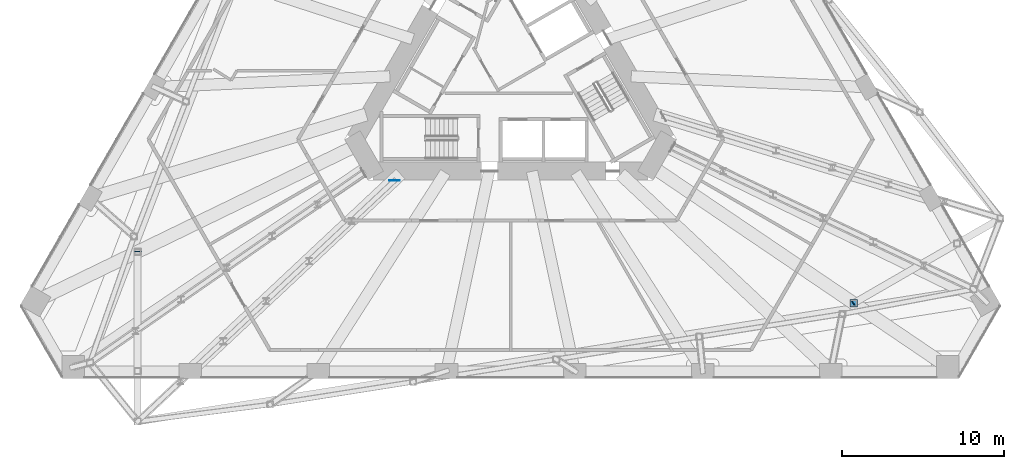
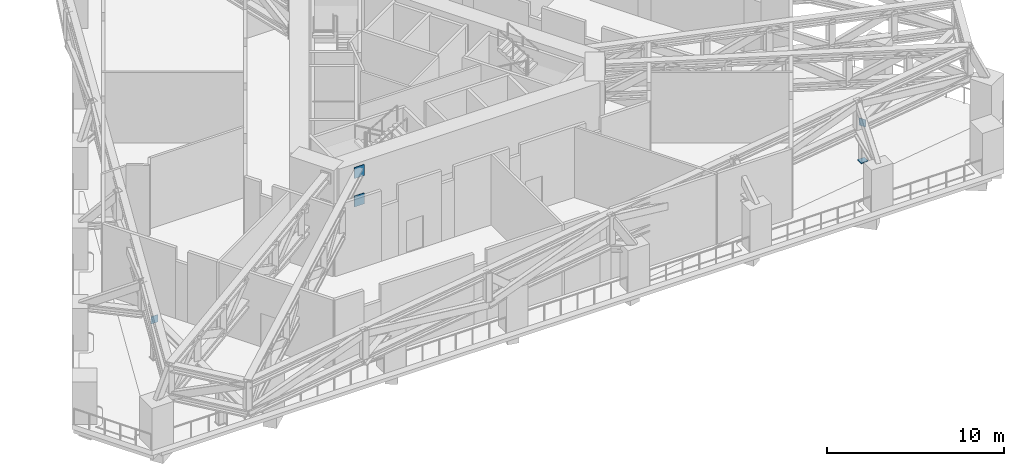
# One storey, part 14 of 20: 5 discrete accessories.
"""IFC4 building model written with IfcOpenShell, lengths in metres."""

from ifc_helpers import new_model, si_unit, direction, frame, origin, origin_2d, place, context, subcontext, project, spatial, rectangle, extrude, material, layer, layer_set, type_object, element, save


model = new_model("IFC4")

# Units and contexts
model_context = context("Model", 3, precision=1e-05, world=origin(), true_north=direction((0.0, 1.0)))
body_context = subcontext(model_context, "Body", "Model", "MODEL_VIEW")
ifc_project = project(units=[si_unit("LENGTHUNIT", "METRE"), si_unit("AREAUNIT", "SQUARE_METRE"), si_unit("VOLUMEUNIT", "CUBIC_METRE"), si_unit("PLANEANGLEUNIT", "RADIAN"), si_unit("MASSUNIT", "GRAM", prefix="KILO")], contexts=[model_context])

# Site, building, storey
site_placement = place(None, origin())
site = spatial("IfcSite", under=ifc_project, at=site_placement, CompositionType="ELEMENT")
building_placement = place(site_placement, origin())
building = spatial("IfcBuilding", under=site, at=building_placement, Name="Tramontana Tower", CompositionType="ELEMENT")
storey_placement = place(building_placement, frame((0.0, 0.0, 46.0)))
storey = spatial("IfcBuildingStorey", under=building, at=storey_placement, Name="L09", CompositionType="ELEMENT", Elevation=46.0)

# Discrete accessories
ifc_material_1 = material(Name="Steel ASTM A572 Grade 50", Category="steel")
ifc_layer_1 = layer(ifc_material_1, 0.0400390625)
ifc_layer_set_1 = layer_set([ifc_layer_1], Name="Base plate 450X450X40")
discrete_accessory_type_1 = type_object("IfcDiscreteAccessoryType", Name="Base plate 450X450X40", PredefinedType="ANCHORPLATE", material=ifc_layer_set_1)
discrete_accessory_placement = place(storey_placement, frame((21.2021484375, -14.363525390625, 0.0), z_axis=(0.0, 0.0, 1.0), x_axis=(1.0, 0.0, 0.0)))
element("IfcDiscreteAccessory", 1, at=discrete_accessory_placement, inside=storey, type_object=discrete_accessory_type_1, Name="Transfer truss post base plate C1K5.2", PredefinedType="ANCHORPLATE", context=body_context, shape_type="SweptSolid", body=[
    extrude(rectangle(XDim=0.449951171875, YDim=0.449951171875, at=origin_2d()), origin(), (0.0, 0.0, 1.0), 0.0400390625),
])
ifc_material_2 = material(Name="Steel ASTM A572 Grade 50", Category="steel")
ifc_layer_2 = layer(ifc_material_2, 0.0400390625)
ifc_layer_set_2 = layer_set([ifc_layer_2], Name="Cast-in plate 650X750X40")
discrete_accessory_type_2 = type_object("IfcDiscreteAccessoryType", Name="Cast-in plate 650X750X40", PredefinedType="ANCHORPLATE", material=ifc_layer_set_2)
for number, where, z_axis, x_axis, name in (
    (2, (-7.176513671875, -6.77001953125, 2.274169921875), (0.0, 0.0, 1.0), (1.0, 0.0, 0.0), "Cast-in plate Transfer truss 2 bottom chord"),
    (3, (-7.176513671875, -6.77001953125, 4.225830078125), (0.0, 0.0, 1.0), (1.0, 0.0, 0.0), "Cast-in plate Transfer truss 2 top chord"),
):
    element("IfcDiscreteAccessory", number, at=place(storey_placement, frame(where, z_axis=z_axis, x_axis=x_axis)), inside=storey, type_object=discrete_accessory_type_2, Name=name, PredefinedType="ANCHORPLATE", context=body_context, shape_type="SweptSolid", body=[
        extrude(rectangle(XDim=0.64990234375, YDim=0.0400390625, at=origin_2d()), origin(), (0.0, 0.0, 1.0), 0.75),
    ])
ifc_material_3 = material(Name="Steel ASTM A572 Grade 50", Category="steel")
ifc_layer_3 = layer(ifc_material_3, 0.0400390625)
ifc_layer_set_3 = layer_set([ifc_layer_3], Name="End plate 432X498X40")
discrete_accessory_type_3 = type_object("IfcDiscreteAccessoryType", Name="End plate 432X498X40", PredefinedType="ANCHORPLATE", material=ifc_layer_set_3)
for number, where, z_axis, x_axis, name in (
    (4, (-23.040283203125, -11.159912109375, 2.39990234375), (0.0, 0.0, 1.0), (1.0, 0.0, 0.0), "Transfer truss girder end plate C1K3.2"),
    (5, (21.184814453125, -14.37353515625, 2.39990234375), (0.0, 0.0, 1.0), (-0.5, 0.866025403784, 0.0), "Transfer truss girder end plate C1K5.2"),
):
    element("IfcDiscreteAccessory", number, at=place(storey_placement, frame(where, z_axis=z_axis, x_axis=x_axis)), inside=storey, type_object=discrete_accessory_type_3, Name=name, PredefinedType="ANCHORPLATE", context=body_context, shape_type="SweptSolid", body=[
        extrude(rectangle(XDim=0.431884765625, YDim=0.0400390625, at=origin_2d()), origin(), (0.0, 0.0, 1.0), 0.49853515625),
    ])

save(model, "model.ifc")
